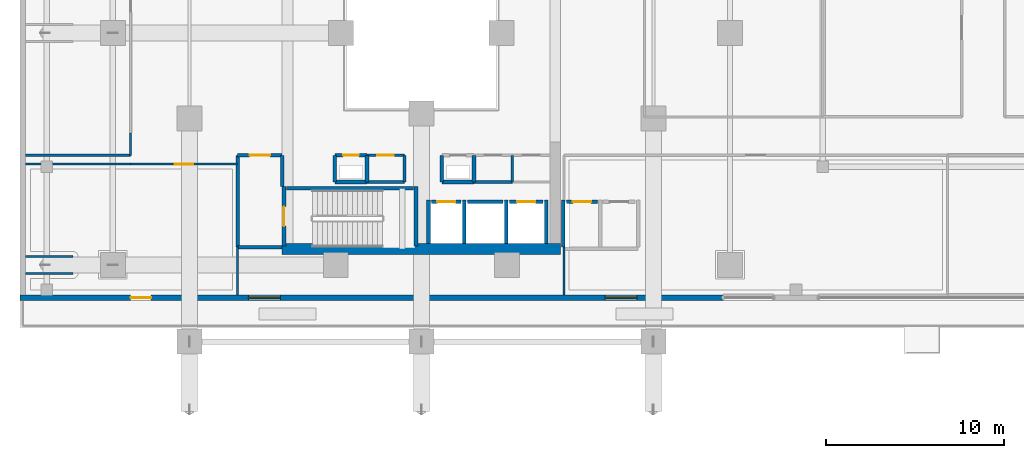
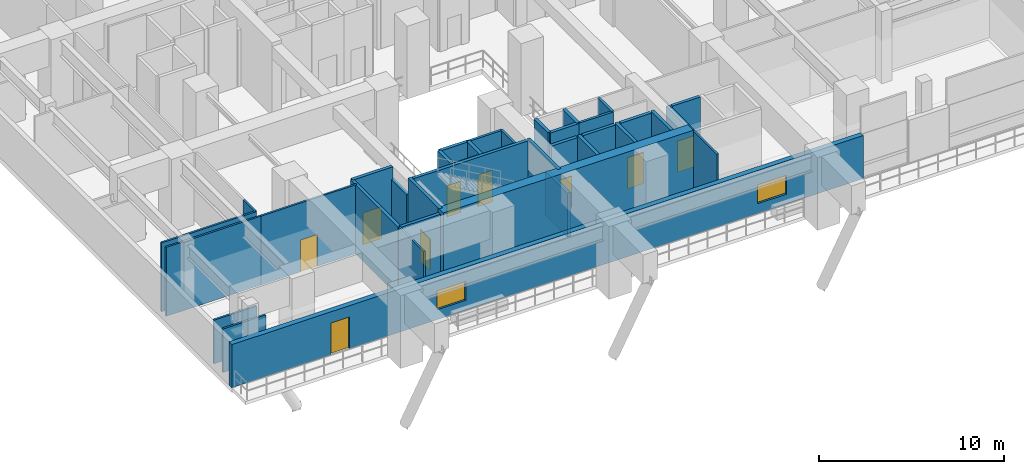
# One storey, part 14 of 25: 38 walls, 9 doors, 2 windows, 11 openings.
"""IFC4 building model written with IfcOpenShell, lengths in metres."""

from ifc_helpers import new_model, si_unit, direction, frame, frame_2d, origin, place, context, subcontext, project, spatial, rectangle, extrude, material, layer, layer_set, type_object, element, fill, save


model = new_model("IFC4")

# Units and contexts
model_context = context("Model", 3, precision=1e-05, world=origin(), true_north=direction((0.0, 1.0)))
body_context = subcontext(model_context, "Body", "Model", "MODEL_VIEW")
ifc_project = project(units=[si_unit("LENGTHUNIT", "METRE"), si_unit("AREAUNIT", "SQUARE_METRE"), si_unit("VOLUMEUNIT", "CUBIC_METRE"), si_unit("PLANEANGLEUNIT", "RADIAN"), si_unit("MASSUNIT", "GRAM", prefix="KILO")], contexts=[model_context])

# Site, building, storey
site_placement = place(None, origin())
site = spatial("IfcSite", under=ifc_project, at=site_placement, CompositionType="ELEMENT")
building_placement = place(site_placement, origin())
building = spatial("IfcBuilding", under=site, at=building_placement, Name="Thornwick Lancets Civic Towers", CompositionType="ELEMENT")
storey_placement = place(building_placement, frame((0.0, 0.0, 23.10009765625)))
storey = spatial("IfcBuildingStorey", under=building, at=storey_placement, Name="L05", CompositionType="ELEMENT", Elevation=23.10009765625)

# Wall, opening, door
ifc_material_1 = material(Name="Concrete blockwork C40/50", Category="masonry")
ifc_layer_1 = layer(ifc_material_1, 0.199951171875, Name="Concrete blockwork C40/50")
ifc_layer_set_1 = layer_set([ifc_layer_1], Name="Concrete blockwork C40/50")
wall_type_1 = type_object("IfcWallType", Name="WALL_COMP_200", PredefinedType="STANDARD", material=ifc_layer_set_1)
wall_1_placement = place(storey_placement, frame((26.080078125, 17.550048828125, 0.0), z_axis=(0.0, 0.0, 1.0), x_axis=(1.0, 0.0, 0.0)))
wall_1 = element("IfcWall", 1, at=wall_1_placement, inside=storey, type_object=wall_type_1, Name="L05 Hoistway Front Wall FL-A1", PredefinedType="STANDARD", context=body_context, shape_type="SweptSolid", body=[
    extrude(rectangle(XDim=1.639892578125, YDim=0.199951171875, at=frame_2d((0.81982421875, 0.0))), origin(), (0.0, 0.0, 1.0), 4.539794921875),
])
opening_1_placement = place(wall_1_placement, frame((0.31005859375, 0.0, 0.0)))
opening_1 = element("IfcOpeningElement", 2, at=opening_1_placement, cuts=wall_1, Name="Opening LD-FL-A1", PredefinedType="OPENING", context=body_context, shape_type="SweptSolid", body=[
    extrude(rectangle(XDim=1.02001953125, YDim=2.06005859375, at=frame_2d((0.510009765625, 1.030029296875))), frame((0.0, 0.10986328125, 0.0), z_axis=(0.0, -1.0, 0.0), x_axis=(1.0, 0.0, 0.0)), (0.0, 0.0, 1.0), 0.219970703125),
])
ifc_material_2 = material(Name="Brushed bronze stainless steel", Category="steel")
door_type_1 = type_object("IfcDoorType", Name="DOOR_LIFT_SLIDE", OperationType="SLIDING_TO_LEFT", PredefinedType="DOOR", material=ifc_material_2)
door_1_placement = place(opening_1_placement, origin())
door_1 = element("IfcDoor", 3, at=door_1_placement, inside=storey, type_object=door_type_1, Name="L05 Sliding Lift Landing Door LD-FL-A1", OperationType="SLIDING_TO_LEFT", OverallHeight=2.06005859375, OverallWidth=1.02001953125, PredefinedType="DOOR", context=body_context, shape_type="SweptSolid", body=[
    extrude(rectangle(XDim=1.02001953125, YDim=2.06005859375, at=frame_2d((0.510009765625, 1.030029296875))), frame((0.0, 0.02490234375, 0.0), z_axis=(0.0, -1.0, 0.0), x_axis=(1.0, 0.0, 0.0)), (0.0, 0.0, 1.0), 0.050048828125),
])
fill(opening_1, door_1)

# Wall
wall_2_placement = place(storey_placement, frame((28.080078125, 17.550048828125, 0.0), z_axis=(0.0, 0.0, 1.0), x_axis=(1.0, 0.0, 0.0)))
element("IfcWall", 4, at=wall_2_placement, inside=storey, type_object=wall_type_1, Name="L05 Hoistway Front Wall PL-AH1", PredefinedType="STANDARD", context=body_context, shape_type="SweptSolid", body=[
    extrude(rectangle(XDim=1.989990234375, YDim=0.199951171875, at=frame_2d((0.9951171875, 0.0))), origin(), (0.0, 0.0, 1.0), 4.539794921875),
])

# Wall, opening, door
wall_3_placement = place(storey_placement, frame((30.429931640625, 17.550048828125, 0.0), z_axis=(0.0, 0.0, 1.0), x_axis=(1.0, 0.0, 0.0)))
wall_3 = element("IfcWall", 5, at=wall_3_placement, inside=storey, type_object=wall_type_1, Name="L05 Hoistway Front Wall PL-AL1", PredefinedType="STANDARD", context=body_context, shape_type="SweptSolid", body=[
    extrude(rectangle(XDim=1.89013671875, YDim=0.199951171875, at=frame_2d((0.945068359375, 0.0))), origin(), (0.0, 0.0, 1.0), 4.539794921875),
])
opening_2_placement = place(wall_3_placement, frame((0.43505859375, 0.0, 0.0)))
opening_2 = element("IfcOpeningElement", 6, at=opening_2_placement, cuts=wall_3, Name="Opening LD-PL-AL1", PredefinedType="OPENING", context=body_context, shape_type="SweptSolid", body=[
    extrude(rectangle(XDim=1.02001953125, YDim=2.06005859375, at=frame_2d((0.510009765625, 1.030029296875))), frame((0.0, 0.10986328125, 0.0), z_axis=(0.0, -1.0, 0.0), x_axis=(1.0, 0.0, 0.0)), (0.0, 0.0, 1.0), 0.219970703125),
])
door_2_placement = place(opening_2_placement, origin())
door_2 = element("IfcDoor", 7, at=door_2_placement, inside=storey, type_object=door_type_1, Name="L05 Sliding Lift Landing Door LD-PL-AL1", OperationType="SLIDING_TO_LEFT", OverallHeight=2.06005859375, OverallWidth=1.02001953125, PredefinedType="DOOR", context=body_context, shape_type="SweptSolid", body=[
    extrude(rectangle(XDim=1.02001953125, YDim=2.06005859375, at=frame_2d((0.510009765625, 1.030029296875))), frame((0.0, 0.02490234375, 0.0), z_axis=(0.0, -1.0, 0.0), x_axis=(1.0, 0.0, 0.0)), (0.0, 0.0, 1.0), 0.050048828125),
])
fill(opening_2, door_2)

wall_4_placement = place(storey_placement, frame((33.6298828125, 17.550048828125, 0.0), z_axis=(0.0, 0.0, 1.0), x_axis=(1.0, 0.0, 0.0)))
wall_4 = element("IfcWall", 8, at=wall_4_placement, inside=storey, type_object=wall_type_1, Name="L05 Hoistway Front Wall PL-AL2", PredefinedType="STANDARD", context=body_context, shape_type="SweptSolid", body=[
    extrude(rectangle(XDim=1.740234375, YDim=0.199951171875, at=frame_2d((0.8701171875, 0.0))), origin(), (0.0, 0.0, 1.0), 4.539794921875),
])
opening_3_placement = place(wall_4_placement, frame((0.360107421875, 0.0, 0.0)))
opening_3 = element("IfcOpeningElement", 9, at=opening_3_placement, cuts=wall_4, Name="Opening LD-PL-AL2", PredefinedType="OPENING", context=body_context, shape_type="SweptSolid", body=[
    extrude(rectangle(XDim=1.02001953125, YDim=2.06005859375, at=frame_2d((0.510009765625, 1.030029296875))), frame((0.0, 0.10986328125, 0.0), z_axis=(0.0, -1.0, 0.0), x_axis=(1.0, 0.0, 0.0)), (0.0, 0.0, 1.0), 0.219970703125),
])
door_3_placement = place(opening_3_placement, origin())
door_3 = element("IfcDoor", 10, at=door_3_placement, inside=storey, type_object=door_type_1, Name="L05 Sliding Lift Landing Door LD-PL-AL2", OperationType="SLIDING_TO_LEFT", OverallHeight=2.06005859375, OverallWidth=1.02001953125, PredefinedType="DOOR", context=body_context, shape_type="SweptSolid", body=[
    extrude(rectangle(XDim=1.02001953125, YDim=2.06005859375, at=frame_2d((0.510009765625, 1.030029296875))), frame((0.0, 0.02490234375, 0.0), z_axis=(0.0, -1.0, 0.0), x_axis=(1.0, 0.0, 0.0)), (0.0, 0.0, 1.0), 0.050048828125),
])
fill(opening_3, door_3)

# Walls
wall_5_placement = place(storey_placement, frame((27.89990234375, 15.2119140625, 0.0), z_axis=(0.0, 0.0, 1.0), x_axis=(0.0, 1.0, 0.0)))
element("IfcWall", 11, at=wall_5_placement, inside=storey, type_object=wall_type_1, Name="L05 Hoistway Shaft Wall FL-A1 E", PredefinedType="STANDARD", context=body_context, shape_type="SweptSolid", body=[
    extrude(rectangle(XDim=2.43603515625, YDim=0.199951171875, at=frame_2d((1.218017578125, 0.0))), origin(), (0.0, 0.0, 1.0), 4.539794921875),
])
wall_6_placement = place(storey_placement, frame((25.89990234375, 15.2119140625, 0.0), z_axis=(0.0, 0.0, 1.0), x_axis=(0.0, 1.0, 0.0)))
element("IfcWall", 12, at=wall_6_placement, inside=storey, type_object=wall_type_1, Name="L05 Hoistway Shaft Wall FL-A1 W", PredefinedType="STANDARD", context=body_context, shape_type="SweptSolid", body=[
    extrude(rectangle(XDim=2.43603515625, YDim=0.199951171875, at=frame_2d((1.218017578125, 0.0))), origin(), (0.0, 0.0, 1.0), 2.885009765625),
])
for number, where, z_axis, x_axis, name in (
    (13, (30.25, 15.2119140625, 0.0), (0.0, 0.0, 1.0), (0.0, 1.0, 0.0), "L05 Hoistway Shaft Wall PL-AH1 E"),
    (14, (32.5, 15.2119140625, 0.0), (0.0, 0.0, 1.0), (0.0, 1.0, 0.0), "L05 Hoistway Shaft Wall PL-AL1 E"),
):
    element("IfcWall", number, at=place(storey_placement, frame(where, z_axis=z_axis, x_axis=x_axis)), inside=storey, type_object=wall_type_1, Name=name, PredefinedType="STANDARD", context=body_context, shape_type="SweptSolid", body=[
        extrude(rectangle(XDim=2.43603515625, YDim=0.199951171875, at=frame_2d((1.218017578125, 0.0))), origin(), (0.0, 0.0, 1.0), 4.539794921875),
    ])
wall_7_placement = place(storey_placement, frame((33.449951171875, 15.011962890625, 0.0), z_axis=(0.0, 0.0, 1.0), x_axis=(0.0, 1.0, 0.0)))
element("IfcWall", 15, at=wall_7_placement, inside=storey, type_object=wall_type_1, Name="L05 Hoistway Shaft Wall PL-AL2 W", PredefinedType="STANDARD", context=body_context, shape_type="SweptSolid", body=[
    extrude(rectangle(XDim=2.635986328125, YDim=0.199951171875, at=frame_2d((1.31787109375, 0.0))), origin(), (0.0, 0.0, 1.0), 4.539794921875),
])
wall_8_placement = place(storey_placement, frame((15.199951171875, 15.0, 0.0), z_axis=(0.0, 0.0, 1.0), x_axis=(1.0, 0.0, 0.0)))
element("IfcWall", 16, at=wall_8_placement, inside=storey, type_object=wall_type_1, Name="L05 Partition L05-A-FFLOB1 E1", PredefinedType="STANDARD", context=body_context, shape_type="SweptSolid", body=[
    extrude(rectangle(XDim=2.5, YDim=0.199951171875, at=frame_2d((1.25, 0.0))), origin(), (0.0, 0.0, 1.0), 4.539794921875),
])
wall_9_placement = place(storey_placement, frame((17.699951171875, 18.39990234375, 0.0), z_axis=(0.0, 0.0, 1.0), x_axis=(0.0, 1.0, 0.0)))
element("IfcWall", 17, at=wall_9_placement, inside=storey, type_object=wall_type_1, Name="L05 Partition L05-A-FFLOB1 E2", PredefinedType="STANDARD", context=body_context, shape_type="SweptSolid", body=[
    extrude(rectangle(XDim=1.75, YDim=0.199951171875, at=frame_2d((0.875, 0.0))), origin(), (0.0, 0.0, 1.0), 3.744873046875),
])

# Wall, opening, door
wall_10_placement = place(storey_placement, frame((17.699951171875, 20.14990234375, 0.0), z_axis=(0.0, 0.0, 1.0), x_axis=(-1.0, 0.0, 0.0)))
wall_10 = element("IfcWall", 18, at=wall_10_placement, inside=storey, type_object=wall_type_1, Name="L05 Partition L05-A-FFLOB1 E3", PredefinedType="STANDARD", context=body_context, shape_type="SweptSolid", body=[
    extrude(rectangle(XDim=2.5, YDim=0.199951171875, at=frame_2d((1.25, 0.0))), origin(), (0.0, 0.0, 1.0), 4.539794921875),
])
opening_4_placement = place(wall_10_placement, frame((0.675048828125, 0.0, 0.0)))
opening_4 = element("IfcOpeningElement", 19, at=opening_4_placement, cuts=wall_10, Name="Opening D-L05-0278", PredefinedType="OPENING", context=body_context, shape_type="SweptSolid", body=[
    extrude(rectangle(XDim=1.14990234375, YDim=2.10009765625, at=frame_2d((0.574951171875, 1.050048828125))), frame((0.0, 0.10986328125, 0.0), z_axis=(0.0, -1.0, 0.0), x_axis=(1.0, 0.0, 0.0)), (0.0, 0.0, 1.0), 0.219970703125),
])
ifc_material_3 = material(Name="Glazed fire-resisting steel", Category="steel")
door_type_2 = type_object("IfcDoorType", Name="DOOR_LOBBY_FD60", OperationType="NOTDEFINED", PredefinedType="DOOR", material=ifc_material_3)
door_4_placement = place(opening_4_placement, origin())
door_4 = element("IfcDoor", 20, at=door_4_placement, inside=storey, type_object=door_type_2, Name="L05 South Firefighting Lobby 1 Door", OperationType="SINGLE_SWING_LEFT", OverallHeight=2.10009765625, OverallWidth=1.14990234375, PredefinedType="DOOR", context=body_context, shape_type="SweptSolid", body=[
    extrude(rectangle(XDim=1.14990234375, YDim=2.10009765625, at=frame_2d((0.574951171875, 1.050048828125))), frame((0.0, 0.02490234375, 0.0), z_axis=(0.0, -1.0, 0.0), x_axis=(1.0, 0.0, 0.0)), (0.0, 0.0, 1.0), 0.050048828125),
])
fill(opening_4, door_4)

# Walls
wall_11_placement = place(storey_placement, frame((15.199951171875, 20.14990234375, 0.0), z_axis=(0.0, 0.0, 1.0), x_axis=(0.0, -1.0, 0.0)))
element("IfcWall", 21, at=wall_11_placement, inside=storey, type_object=wall_type_1, Name="L05 Partition L05-A-FFLOB1 E4", PredefinedType="STANDARD", context=body_context, shape_type="SweptSolid", body=[
    extrude(rectangle(XDim=5.14990234375, YDim=0.199951171875, at=frame_2d((2.574951171875, 0.0))), origin(), (0.0, 0.0, 1.0), 4.539794921875),
])
wall_12_placement = place(storey_placement, frame((26.64990234375, 18.64990234375, 0.0), z_axis=(0.0, 0.0, 1.0), x_axis=(1.0, 0.0, 0.0)))
element("IfcWall", 22, at=wall_12_placement, inside=storey, type_object=wall_type_1, Name="L05 Partition L05-A-DUCT1 E1", PredefinedType="STANDARD", context=body_context, shape_type="SweptSolid", body=[
    extrude(rectangle(XDim=1.800048828125, YDim=0.199951171875, at=frame_2d((0.89990234375, 0.0))), origin(), (0.0, 0.0, 1.0), 4.539794921875),
])
for number, where, z_axis, x_axis, name in (
    (23, (28.449951171875, 18.64990234375, 0.0), (0.0, 0.0, 1.0), (0.0, 1.0, 0.0), "L05 Partition L05-A-DUCT1 E2"),
    (24, (26.64990234375, 20.14990234375, 0.0), (0.0, 0.0, 1.0), (0.0, -1.0, 0.0), "L05 Partition L05-A-DUCT1 E4"),
):
    element("IfcWall", number, at=place(storey_placement, frame(where, z_axis=z_axis, x_axis=x_axis)), inside=storey, type_object=wall_type_1, Name=name, PredefinedType="STANDARD", context=body_context, shape_type="SweptSolid", body=[
        extrude(rectangle(XDim=1.5, YDim=0.199951171875, at=frame_2d((0.75, 0.0))), origin(), (0.0, 0.0, 1.0), 4.539794921875),
    ])
wall_13_placement = place(storey_placement, frame((20.64990234375, 18.64990234375, 0.0), z_axis=(0.0, 0.0, 1.0), x_axis=(1.0, 0.0, 0.0)))
element("IfcWall", 25, at=wall_13_placement, inside=storey, type_object=wall_type_1, Name="L05 Partition L05-A-RISER1 E1", PredefinedType="STANDARD", context=body_context, shape_type="SweptSolid", body=[
    extrude(rectangle(XDim=1.800048828125, YDim=0.199951171875, at=frame_2d((0.89990234375, 0.0))), origin(), (0.0, 0.0, 1.0), 4.539794921875),
])
wall_14_placement = place(storey_placement, frame((22.449951171875, 18.64990234375, 0.0), z_axis=(0.0, 0.0, 1.0), x_axis=(0.0, 1.0, 0.0)))
element("IfcWall", 26, at=wall_14_placement, inside=storey, type_object=wall_type_1, Name="L05 Partition L05-A-RISER1 E2", PredefinedType="STANDARD", context=body_context, shape_type="SweptSolid", body=[
    extrude(rectangle(XDim=1.5, YDim=0.199951171875, at=frame_2d((0.75, 0.0))), origin(), (0.0, 0.0, 1.0), 4.539794921875),
])

# Wall, opening, door
wall_15_placement = place(storey_placement, frame((22.449951171875, 20.14990234375, 0.0), z_axis=(0.0, 0.0, 1.0), x_axis=(-1.0, 0.0, 0.0)))
wall_15 = element("IfcWall", 27, at=wall_15_placement, inside=storey, type_object=wall_type_1, Name="L05 Partition L05-A-RISER1 E3", PredefinedType="STANDARD", context=body_context, shape_type="SweptSolid", body=[
    extrude(rectangle(XDim=1.800048828125, YDim=0.199951171875, at=frame_2d((0.89990234375, 0.0))), origin(), (0.0, 0.0, 1.0), 4.539794921875),
])
opening_5_placement = place(wall_15_placement, frame((0.4599609375, 0.0, 0.0)))
opening_5 = element("IfcOpeningElement", 28, at=opening_5_placement, cuts=wall_15, Name="Opening D-L05-0281", PredefinedType="OPENING", context=body_context, shape_type="SweptSolid", body=[
    extrude(rectangle(XDim=0.8798828125, YDim=2.0400390625, at=frame_2d((0.43994140625, 1.02001953125))), frame((0.0, 0.10986328125, 0.0), z_axis=(0.0, -1.0, 0.0), x_axis=(1.0, 0.0, 0.0)), (0.0, 0.0, 1.0), 0.219970703125),
])
ifc_material_4 = material(Name="Steel riser access doorset", Category="steel")
door_type_3 = type_object("IfcDoorType", Name="DOOR_RISER_850", OperationType="NOTDEFINED", PredefinedType="DOOR", material=ifc_material_4)
door_5_placement = place(opening_5_placement, origin())
door_5 = element("IfcDoor", 29, at=door_5_placement, inside=storey, type_object=door_type_3, Name="L05 South Electrical Riser 1 Door", OperationType="SINGLE_SWING_RIGHT", OverallHeight=2.0400390625, OverallWidth=0.8798828125, PredefinedType="DOOR", context=body_context, shape_type="SweptSolid", body=[
    extrude(rectangle(XDim=0.8798828125, YDim=2.0400390625, at=frame_2d((0.43994140625, 1.02001953125))), frame((0.0, 0.02490234375, 0.0), z_axis=(0.0, -1.0, 0.0), x_axis=(1.0, 0.0, 0.0)), (0.0, 0.0, 1.0), 0.050048828125),
])
fill(opening_5, door_5)

# Walls
wall_16_placement = place(storey_placement, frame((20.64990234375, 20.14990234375, 0.0), z_axis=(0.0, 0.0, 1.0), x_axis=(0.0, -1.0, 0.0)))
element("IfcWall", 30, at=wall_16_placement, inside=storey, type_object=wall_type_1, Name="L05 Partition L05-A-RISER1 E4", PredefinedType="STANDARD", context=body_context, shape_type="SweptSolid", body=[
    extrude(rectangle(XDim=1.5, YDim=0.199951171875, at=frame_2d((0.75, 0.0))), origin(), (0.0, 0.0, 1.0), 4.539794921875),
])
ifc_material_5 = material(Name="Concrete C60/75", Category="concrete")
ifc_layer_2 = layer(ifc_material_5, 0.60009765625, Name="Concrete C60/75")
ifc_layer_set_2 = layer_set([ifc_layer_2], Name="Concrete C60/75")
wall_type_2 = type_object("IfcWallType", Name="WALL_CORE_600", PredefinedType="SHEAR", material=ifc_layer_set_2)
wall_17_placement = place(storey_placement, frame((17.699951171875, 14.89990234375, 0.0), z_axis=(0.0, 0.0, 1.0), x_axis=(1.0, 0.0, 0.0)))
element("IfcWall", 31, at=wall_17_placement, inside=storey, type_object=wall_type_2, Name="L05 Split Core A1 Shear Wall S", PredefinedType="SHEAR", context=body_context, shape_type="SweptSolid", body=[
    extrude(rectangle(XDim=15.60009765625, YDim=0.60009765625, at=frame_2d((7.800048828125, 0.0))), origin(), (0.0, 0.0, 1.0), 4.7998046875),
])

# Wall, openings, door, windows
ifc_material_6 = material(Name="Insulated buff terracotta rainscreen on concrete C40/50", Category="masonry")
ifc_layer_3 = layer(ifc_material_6, 0.320068359375, Name="Insulated buff terracotta rainscreen on concrete C40/50")
ifc_layer_set_3 = layer_set([ifc_layer_3], Name="Insulated buff terracotta rainscreen on concrete C40/50")
wall_type_3 = type_object("IfcWallType", Name="WALL_EXT_TERRA_320", PredefinedType="STANDARD", material=ifc_layer_set_3)
wall_18_placement = place(storey_placement, frame((3.0, 12.159912109375, 0.0), z_axis=(0.0, 0.0, 1.0), x_axis=(1.0, 0.0, 0.0)))
wall_18 = element("IfcWall", 32, at=wall_18_placement, inside=storey, type_object=wall_type_3, Name="L05 Podium South-West Facade Wall", PredefinedType="STANDARD", context=body_context, shape_type="SweptSolid", body=[
    extrude(rectangle(XDim=39.39990234375, YDim=0.320068359375, at=frame_2d((19.699951171875, 0.0))), origin(), (0.0, 0.0, 1.0), 2.83984375),
])
opening_6_placement = place(wall_18_placement, frame((6.199951171875, 0.0, 0.0)))
opening_6 = element("IfcOpeningElement", 33, at=opening_6_placement, cuts=wall_18, Name="Opening D-TR-L05-1", PredefinedType="OPENING", context=body_context, shape_type="SweptSolid", body=[
    extrude(rectangle(XDim=1.14990234375, YDim=2.10009765625, at=frame_2d((0.574951171875, 1.050048828125))), frame((0.0, 0.169921875, 0.0), z_axis=(0.0, -1.0, 0.0), x_axis=(1.0, 0.0, 0.0)), (0.0, 0.0, 1.0), 0.340087890625),
])
opening_7_placement = place(wall_18_placement, frame((12.800048828125, 0.0, 0.64990234375)))
opening_7 = element("IfcOpeningElement", 34, at=opening_7_placement, cuts=wall_18, Name="Opening WP-18", PredefinedType="OPENING", context=body_context, shape_type="SweptSolid", body=[
    extrude(rectangle(XDim=1.800048828125, YDim=1.25, at=frame_2d((0.89990234375, 0.625))), frame((0.0, 0.169921875, 0.0), z_axis=(0.0, -1.0, 0.0), x_axis=(1.0, 0.0, 0.0)), (0.0, 0.0, 1.0), 0.340087890625),
])
opening_8_placement = place(wall_18_placement, frame((32.800048828125, 0.0, 0.64990234375)))
opening_8 = element("IfcOpeningElement", 35, at=opening_8_placement, cuts=wall_18, Name="Opening WP-18", PredefinedType="OPENING", context=body_context, shape_type="SweptSolid", body=[
    extrude(rectangle(XDim=1.800048828125, YDim=1.25, at=frame_2d((0.89990234375, 0.625))), frame((0.0, 0.169921875, 0.0), z_axis=(0.0, -1.0, 0.0), x_axis=(1.0, 0.0, 0.0)), (0.0, 0.0, 1.0), 0.340087890625),
])
ifc_material_7 = material(Name="Thermally broken glazed terrace doorset")
door_type_4 = type_object("IfcDoorType", Name="DOOR_TERRACE_1200", OperationType="NOTDEFINED", PredefinedType="DOOR", material=ifc_material_7)
door_6_placement = place(opening_6_placement, origin())
door_6 = element("IfcDoor", 36, at=door_6_placement, inside=storey, type_object=door_type_4, Name="L05 Cascading Garden Terrace Door 1", OperationType="SINGLE_SWING_LEFT", OverallHeight=2.10009765625, OverallWidth=1.14990234375, PredefinedType="DOOR", context=body_context, shape_type="SweptSolid", body=[
    extrude(rectangle(XDim=1.14990234375, YDim=2.10009765625, at=frame_2d((0.574951171875, 1.050048828125))), frame((0.0, 0.02490234375, 0.0), z_axis=(0.0, -1.0, 0.0), x_axis=(1.0, 0.0, 0.0)), (0.0, 0.0, 1.0), 0.050048828125),
])
fill(opening_6, door_6)
ifc_material_8 = material(Name="Pointed lancet clear glass window", Category="glass")
window_type = type_object("IfcWindowType", Name="WIN_PODIUM_1800", PartitioningType="SINGLE_PANEL", PredefinedType="WINDOW", material=ifc_material_8)
window_1_placement = place(opening_7_placement, origin())
window_1 = element("IfcWindow", 37, at=window_1_placement, inside=storey, type_object=window_type, Name="L05 Podium Lancet Window 2", OverallHeight=1.25, OverallWidth=1.800048828125, PartitioningType="SINGLE_PANEL", PredefinedType="WINDOW", context=body_context, shape_type="SweptSolid", body=[
    extrude(rectangle(XDim=1.800048828125, YDim=1.25, at=frame_2d((0.89990234375, 0.625))), frame((0.0, 0.030029296875, 0.0), z_axis=(0.0, -1.0, 0.0), x_axis=(1.0, 0.0, 0.0)), (0.0, 0.0, 1.0), 0.06005859375),
])
fill(opening_7, window_1)
window_2_placement = place(opening_8_placement, origin())
window_2 = element("IfcWindow", 38, at=window_2_placement, inside=storey, type_object=window_type, Name="L05 Podium Lancet Window 4", OverallHeight=1.25, OverallWidth=1.800048828125, PartitioningType="SINGLE_PANEL", PredefinedType="WINDOW", context=body_context, shape_type="SweptSolid", body=[
    extrude(rectangle(XDim=1.800048828125, YDim=1.25, at=frame_2d((0.89990234375, 0.625))), frame((0.0, 0.030029296875, 0.0), z_axis=(0.0, -1.0, 0.0), x_axis=(1.0, 0.0, 0.0)), (0.0, 0.0, 1.0), 0.06005859375),
])
fill(opening_8, window_2)

# Wall, opening, door
ifc_material_9 = material(Name="Acoustic gypsum board partition")
ifc_layer_4 = layer(ifc_material_9, 0.1201171875, Name="Acoustic gypsum board partition")
ifc_layer_set_4 = layer_set([ifc_layer_4], Name="Acoustic gypsum board partition")
wall_type_4 = type_object("IfcWallType", Name="WALL_PART_120", PredefinedType="PARTITIONING", material=ifc_layer_set_4)
wall_19_placement = place(storey_placement, frame((9.199951171875, 19.64990234375, 0.0), z_axis=(0.0, 0.0, 1.0), x_axis=(1.0, 0.0, 0.0)))
wall_19 = element("IfcWall", 39, at=wall_19_placement, inside=storey, type_object=wall_type_4, Name="L05 Partition L05-MINW E1", PredefinedType="PARTITIONING", context=body_context, shape_type="SweptSolid", body=[
    extrude(rectangle(XDim=6.0, YDim=0.1201171875, at=frame_2d((3.0, 0.0))), origin(), (0.0, 0.0, 1.0), 4.539794921875),
])
opening_9_placement = place(wall_19_placement, frame((2.47509765625, 0.0, 0.0)))
opening_9 = element("IfcOpeningElement", 40, at=opening_9_placement, cuts=wall_19, Name="Opening D-L05-0303", PredefinedType="OPENING", context=body_context, shape_type="SweptSolid", body=[
    extrude(rectangle(XDim=1.050048828125, YDim=2.10009765625, at=frame_2d((0.52490234375, 1.050048828125))), frame((0.0, 0.070068359375, 0.0), z_axis=(0.0, -1.0, 0.0), x_axis=(1.0, 0.0, 0.0)), (0.0, 0.0, 1.0), 0.14013671875),
])
ifc_material_10 = material(Name="Glazed European oak executive doorset")
door_type_5 = type_object("IfcDoorType", Name="DOOR_OFFICE_1050", OperationType="NOTDEFINED", PredefinedType="DOOR", material=ifc_material_10)
door_7_placement = place(opening_9_placement, origin())
door_7 = element("IfcDoor", 41, at=door_7_placement, inside=storey, type_object=door_type_5, Name="L05 Ministry Policy Directorate West Door", OperationType="SINGLE_SWING_RIGHT", OverallHeight=2.10009765625, OverallWidth=1.050048828125, PredefinedType="DOOR", context=body_context, shape_type="SweptSolid", body=[
    extrude(rectangle(XDim=1.050048828125, YDim=2.10009765625, at=frame_2d((0.52490234375, 1.050048828125))), frame((0.0, 0.02490234375, 0.0), z_axis=(0.0, -1.0, 0.0), x_axis=(1.0, 0.0, 0.0)), (0.0, 0.0, 1.0), 0.050048828125),
])
fill(opening_9, door_7)

# Walls
wall_20_placement = place(storey_placement, frame((15.199951171875, 15.0, 0.0), z_axis=(0.0, 0.0, 1.0), x_axis=(0.0, -1.0, 0.0)))
element("IfcWall", 42, at=wall_20_placement, inside=storey, type_object=wall_type_4, Name="L05 Partition L05-MINW E3", PredefinedType="PARTITIONING", context=body_context, shape_type="SweptSolid", body=[
    extrude(rectangle(XDim=2.679931640625, YDim=0.1201171875, at=frame_2d((1.33984375, 0.0))), origin(), (0.0, 0.0, 1.0), 4.539794921875),
])
for number, where, z_axis, x_axis, name in (
    (43, (3.300048828125, 13.52001953125, 0.0), (0.0, 0.0, 1.0), (1.0, 0.0, 0.0), "L05 Partition L05-MINW E6"),
    (44, (5.96630859375, 14.47998046875, 0.0), (0.0, 0.0, 1.0), (-1.0, 0.0, 0.0), "L05 Partition L05-MINW E8"),
):
    element("IfcWall", number, at=place(storey_placement, frame(where, z_axis=z_axis, x_axis=x_axis)), inside=storey, type_object=wall_type_4, Name=name, PredefinedType="PARTITIONING", context=body_context, shape_type="SweptSolid", body=[
        extrude(rectangle(XDim=2.666259765625, YDim=0.1201171875, at=frame_2d((1.3330078125, 0.0))), origin(), (0.0, 0.0, 1.0), 2.885009765625),
    ])
wall_21_placement = place(storey_placement, frame((3.300048828125, 19.64990234375, 0.0), z_axis=(0.0, 0.0, 1.0), x_axis=(1.0, 0.0, 0.0)))
element("IfcWall", 45, at=wall_21_placement, inside=storey, type_object=wall_type_4, Name="L05 Partition L05-MINW E10", PredefinedType="PARTITIONING", context=body_context, shape_type="SweptSolid", body=[
    extrude(rectangle(XDim=5.89990234375, YDim=0.1201171875, at=frame_2d((2.949951171875, 0.0))), origin(), (0.0, 0.0, 1.0), 4.539794921875),
])
wall_22_placement = place(storey_placement, frame((33.5, 12.320068359375, 0.0), z_axis=(0.0, 0.0, 1.0), x_axis=(0.0, 1.0, 0.0)))
element("IfcWall", 46, at=wall_22_placement, inside=storey, type_object=wall_type_4, Name="L05 Partition L05-RECEP E4", PredefinedType="PARTITIONING", context=body_context, shape_type="SweptSolid", body=[
    extrude(rectangle(XDim=2.69189453125, YDim=0.1201171875, at=frame_2d((1.345947265625, 0.0))), origin(), (0.0, 0.0, 1.0), 4.539794921875),
])
wall_23_placement = place(storey_placement, frame((9.199951171875, 21.39990234375, 0.0), z_axis=(0.0, 0.0, 1.0), x_axis=(0.0, -1.0, 0.0)))
element("IfcWall", 47, at=wall_23_placement, inside=storey, type_object=wall_type_4, Name="L05 Partition L05-WSUITE E2", PredefinedType="PARTITIONING", context=body_context, shape_type="SweptSolid", body=[
    extrude(rectangle(XDim=1.25, YDim=0.1201171875, at=frame_2d((0.625, 0.0))), origin(), (0.0, 0.0, 1.0), 4.539794921875),
])
wall_24_placement = place(storey_placement, frame((9.199951171875, 20.14990234375, 0.0), z_axis=(0.0, 0.0, 1.0), x_axis=(-1.0, 0.0, 0.0)))
element("IfcWall", 48, at=wall_24_placement, inside=storey, type_object=wall_type_4, Name="L05 Partition L05-WSUITE E3", PredefinedType="PARTITIONING", context=body_context, shape_type="SweptSolid", body=[
    extrude(rectangle(XDim=5.89990234375, YDim=0.1201171875, at=frame_2d((2.949951171875, 0.0))), origin(), (0.0, 0.0, 1.0), 4.539794921875),
])
ifc_material_11 = material(Name="Twin-stud acoustic gypsum board")
ifc_layer_5 = layer(ifc_material_11, 0.14990234375, Name="Twin-stud acoustic gypsum board")
ifc_layer_set_5 = layer_set([ifc_layer_5], Name="Twin-stud acoustic gypsum board")
wall_type_5 = type_object("IfcWallType", Name="WALL_PART_150", PredefinedType="PARTITIONING", material=ifc_layer_set_5)
wall_25_placement = place(storey_placement, frame((24.550048828125, 20.14990234375, 0.0), z_axis=(0.0, 0.0, 1.0), x_axis=(0.0, -1.0, 0.0)))
element("IfcWall", 49, at=wall_25_placement, inside=storey, type_object=wall_type_5, Name="L05 Partition L05-A-MWC E1", PredefinedType="PARTITIONING", context=body_context, shape_type="SweptSolid", body=[
    extrude(rectangle(XDim=1.5, YDim=0.14990234375, at=frame_2d((0.75, 0.0))), origin(), (0.0, 0.0, 1.0), 4.539794921875),
])
wall_26_placement = place(storey_placement, frame((24.550048828125, 18.64990234375, 0.0), z_axis=(0.0, 0.0, 1.0), x_axis=(-1.0, 0.0, 0.0)))
element("IfcWall", 50, at=wall_26_placement, inside=storey, type_object=wall_type_5, Name="L05 Partition L05-A-MWC E2", PredefinedType="PARTITIONING", context=body_context, shape_type="SweptSolid", body=[
    extrude(rectangle(XDim=2.10009765625, YDim=0.14990234375, at=frame_2d((1.050048828125, 0.0))), origin(), (0.0, 0.0, 1.0), 4.539794921875),
])

# Wall, opening, door
wall_27_placement = place(storey_placement, frame((22.449951171875, 20.14990234375, 0.0), z_axis=(0.0, 0.0, 1.0), x_axis=(1.0, 0.0, 0.0)))
wall_27 = element("IfcWall", 51, at=wall_27_placement, inside=storey, type_object=wall_type_5, Name="L05 Partition L05-A-MWC E4", PredefinedType="PARTITIONING", context=body_context, shape_type="SweptSolid", body=[
    extrude(rectangle(XDim=2.10009765625, YDim=0.14990234375, at=frame_2d((1.050048828125, 0.0))), origin(), (0.0, 0.0, 1.0), 4.539794921875),
])
opening_10_placement = place(wall_27_placement, frame((0.590087890625, 0.0, 0.0)))
opening_10 = element("IfcOpeningElement", 52, at=opening_10_placement, cuts=wall_27, Name="Opening D-L05-0284", PredefinedType="OPENING", context=body_context, shape_type="SweptSolid", body=[
    extrude(rectangle(XDim=0.919921875, YDim=2.080078125, at=frame_2d((0.4599609375, 1.0400390625))), frame((0.0, 0.0849609375, 0.0), z_axis=(0.0, -1.0, 0.0), x_axis=(1.0, 0.0, 0.0)), (0.0, 0.0, 1.0), 0.169921875),
])
ifc_material_12 = material(Name="Moisture-resistant oak doorset")
door_type_6 = type_object("IfcDoorType", Name="DOOR_WC_900", OperationType="NOTDEFINED", PredefinedType="DOOR", material=ifc_material_12)
door_8_placement = place(opening_10_placement, origin())
door_8 = element("IfcDoor", 53, at=door_8_placement, inside=storey, type_object=door_type_6, Name="L05 Tower A Male WC Door", OperationType="SINGLE_SWING_LEFT", OverallHeight=2.080078125, OverallWidth=0.919921875, PredefinedType="DOOR", context=body_context, shape_type="SweptSolid", body=[
    extrude(rectangle(XDim=0.919921875, YDim=2.080078125, at=frame_2d((0.4599609375, 1.0400390625))), frame((0.0, 0.02490234375, 0.0), z_axis=(0.0, -1.0, 0.0), x_axis=(1.0, 0.0, 0.0)), (0.0, 0.0, 1.0), 0.050048828125),
])
fill(opening_10, door_8)

# Walls
wall_28_placement = place(storey_placement, frame((30.60009765625, 20.14990234375, 0.0), z_axis=(0.0, 0.0, 1.0), x_axis=(0.0, -1.0, 0.0)))
element("IfcWall", 54, at=wall_28_placement, inside=storey, type_object=wall_type_5, Name="L05 Partition L05-A-FWC E1", PredefinedType="PARTITIONING", context=body_context, shape_type="SweptSolid", body=[
    extrude(rectangle(XDim=1.5, YDim=0.14990234375, at=frame_2d((0.75, 0.0))), origin(), (0.0, 0.0, 1.0), 4.539794921875),
])
wall_29_placement = place(storey_placement, frame((30.60009765625, 18.64990234375, 0.0), z_axis=(0.0, 0.0, 1.0), x_axis=(-1.0, 0.0, 0.0)))
element("IfcWall", 55, at=wall_29_placement, inside=storey, type_object=wall_type_5, Name="L05 Partition L05-A-FWC E2", PredefinedType="PARTITIONING", context=body_context, shape_type="SweptSolid", body=[
    extrude(rectangle(XDim=2.150146484375, YDim=0.14990234375, at=frame_2d((1.0751953125, 0.0))), origin(), (0.0, 0.0, 1.0), 4.539794921875),
])

# Wall, opening, door
ifc_material_13 = material(Name="Concrete C40/50", Category="concrete")
ifc_layer_6 = layer(ifc_material_13, 0.199951171875, Name="Concrete C40/50")
ifc_layer_set_6 = layer_set([ifc_layer_6], Name="Concrete C40/50")
wall_type_6 = type_object("IfcWallType", Name="WALL_SHAFT_200", PredefinedType="SHEAR", material=ifc_layer_set_6)
wall_30_placement = place(storey_placement, frame((17.800048828125, 15.050048828125, 0.0), z_axis=(0.0, 0.0, 1.0), x_axis=(0.0, 1.0, 0.0)))
wall_30 = element("IfcWall", 56, at=wall_30_placement, inside=storey, type_object=wall_type_6, Name="L05 ST-A1 Fire Stair Core Wall NEAR", PredefinedType="SHEAR", context=body_context, shape_type="SweptSolid", body=[
    extrude(rectangle(XDim=3.349853515625, YDim=0.199951171875, at=frame_2d((1.6748046875, 0.0))), origin(), (0.0, 0.0, 1.0), 4.7998046875),
])
opening_11_placement = place(wall_30_placement, frame((1.125, 0.0, 0.0)))
opening_11 = element("IfcOpeningElement", 57, at=opening_11_placement, cuts=wall_30, Name="Opening D-ST-A1-L05", PredefinedType="OPENING", context=body_context, shape_type="SweptSolid", body=[
    extrude(rectangle(XDim=1.10009765625, YDim=2.10009765625, at=frame_2d((0.550048828125, 1.050048828125))), frame((0.0, 0.10986328125, 0.0), z_axis=(0.0, -1.0, 0.0), x_axis=(1.0, 0.0, 0.0)), (0.0, 0.0, 1.0), 0.219970703125),
])
ifc_material_14 = material(Name="Fire-resisting steel and hardwood", Category="steel")
door_type_7 = type_object("IfcDoorType", Name="DOOR_STAIR_FD60", OperationType="NOTDEFINED", PredefinedType="DOOR", material=ifc_material_14)
door_9_placement = place(opening_11_placement, origin())
door_9 = element("IfcDoor", 58, at=door_9_placement, inside=storey, type_object=door_type_7, Name="L05 ST-A1 Exit Stair Door", OperationType="SINGLE_SWING_LEFT", OverallHeight=2.10009765625, OverallWidth=1.10009765625, PredefinedType="DOOR", context=body_context, shape_type="SweptSolid", body=[
    extrude(rectangle(XDim=1.10009765625, YDim=2.10009765625, at=frame_2d((0.550048828125, 1.050048828125))), frame((0.0, 0.02490234375, 0.0), z_axis=(0.0, -1.0, 0.0), x_axis=(1.0, 0.0, 0.0)), (0.0, 0.0, 1.0), 0.050048828125),
])
fill(opening_11, door_9)

# Walls
wall_31_placement = place(storey_placement, frame((25.199951171875, 18.39990234375, 0.0), z_axis=(0.0, 0.0, 1.0), x_axis=(0.0, -1.0, 0.0)))
element("IfcWall", 59, at=wall_31_placement, inside=storey, type_object=wall_type_6, Name="L05 ST-A1 Fire Stair Core Wall FAR", PredefinedType="SHEAR", context=body_context, shape_type="SweptSolid", body=[
    extrude(rectangle(XDim=3.349853515625, YDim=0.199951171875, at=frame_2d((1.6748046875, 0.0))), origin(), (0.0, 0.0, 1.0), 4.7998046875),
])
wall_32_placement = place(storey_placement, frame((25.050048828125, 18.297119140625, 0.0), z_axis=(0.0, 0.0, 1.0), x_axis=(-1.0, 0.0, 0.0)))
element("IfcWall", 60, at=wall_32_placement, inside=storey, type_object=wall_type_6, Name="L05 ST-A1 Fire Stair Core Wall RIGHT", PredefinedType="SHEAR", context=body_context, shape_type="SweptSolid", body=[
    extrude(rectangle(XDim=7.10009765625, YDim=0.199951171875, at=frame_2d((3.550048828125, 0.0))), origin(), (0.0, 0.0, 1.0), 4.7998046875),
])

save(model, "model.ifc")
